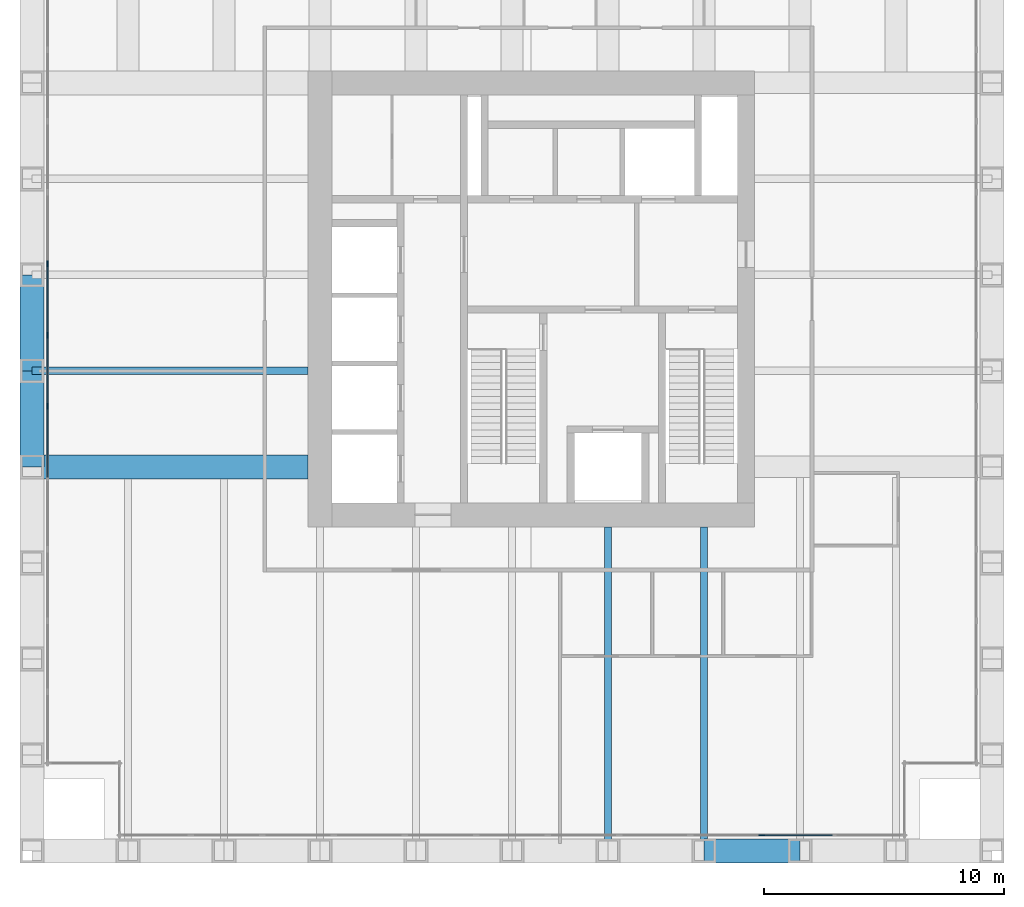
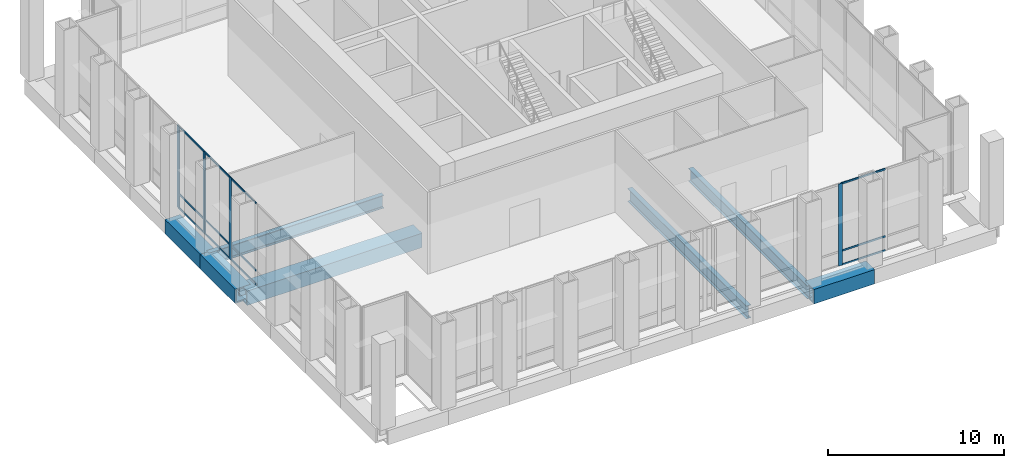
# One storey, part 3 of 12: 16 members, 7 beams, 2 elements without a shape of their own.
"""IFC4 building model written with IfcOpenShell, lengths in metres."""

from ifc_helpers import new_model, si_unit, direction, frame, origin, origin_2d, place, context, subcontext, project, spatial, rectangle, hollow_rectangle, i_section, extrude, material, material_profile, profile_set, type_object, element, aggregate, save


model = new_model("IFC4")

# Units and contexts
model_context = context("Model", 3, precision=1e-05, world=origin(), true_north=direction((0.0, 1.0)))
body_context = subcontext(model_context, "Body", "Model", "MODEL_VIEW")
ifc_project = project(units=[si_unit("LENGTHUNIT", "METRE"), si_unit("AREAUNIT", "SQUARE_METRE"), si_unit("VOLUMEUNIT", "CUBIC_METRE"), si_unit("PLANEANGLEUNIT", "RADIAN"), si_unit("MASSUNIT", "GRAM", prefix="KILO")], contexts=[model_context])

# Site, building, storey
site_placement = place(None, origin())
site = spatial("IfcSite", under=ifc_project, at=site_placement, CompositionType="ELEMENT")
building_placement = place(site_placement, origin())
building = spatial("IfcBuilding", under=site, at=building_placement, Name="Rimbunsela Tower", CompositionType="ELEMENT")
storey_placement = place(building_placement, frame((0.0, 0.0, 298.199951171875)))
storey = spatial("IfcBuildingStorey", under=building, at=storey_placement, Name="L72", CompositionType="ELEMENT", Elevation=298.199951171875)

# Beams
ifc_material_1 = material(Name="Steel BJ 55 (fy 410 MPa)", Category="steel")
ifc_material_profile_1 = material_profile(ifc_material_1, hollow_rectangle(XDim=1.0, YDim=1.0, WallThickness=0.10009765625, at=origin_2d()), Name="BOX 1000x1000x100")
ifc_profile_set_1 = profile_set([ifc_material_profile_1], Name="Steel BJ 55 (fy 410 MPa)")
beam_type_1 = type_object("IfcBeamType", Name="Beam BOX 1000x1000x100", PredefinedType="BEAM", material=ifc_profile_set_1)
beam_1_placement = place(storey_placement, frame((6.0, 20.0, -0.64990234375), z_axis=(0.0, 1.0, 0.0), x_axis=(-1.0, 0.0, 0.0)))
element("IfcBeam", 1, at=beam_1_placement, inside=storey, type_object=beam_type_1, Name="Beam B3 L72", PredefinedType="BEAM", context=body_context, shape_type="SweptSolid", body=[
    extrude(hollow_rectangle(XDim=1.0, YDim=1.0, WallThickness=0.10009765625, at=origin_2d()), origin(), (0.0, 0.0, 1.0), 4.0),
])
beam_2_placement = place(storey_placement, frame((6.0, 20.0, -0.64990234375), z_axis=(1.0, 0.0, 0.0), x_axis=(0.0, 1.0, 0.0)))
element("IfcBeam", 2, at=beam_2_placement, inside=storey, type_object=beam_type_1, Name="Beam B3 L72", PredefinedType="BEAM", context=body_context, shape_type="SweptSolid", body=[
    extrude(hollow_rectangle(XDim=1.0, YDim=1.0, WallThickness=0.10009765625, at=origin_2d()), origin(), (0.0, 0.0, 1.0), 11.5),
])
for number, where, z_axis, x_axis, name in (
    (3, (6.0, 24.0, -0.64990234375), (0.0, 1.0, 0.0), (-1.0, 0.0, 0.0), "Beam B3 L72"),
    (4, (34.0, 4.0, -0.64990234375), (1.0, 0.0, 0.0), (0.0, 1.0, 0.0), "Beam B3 L72"),
):
    element("IfcBeam", number, at=place(storey_placement, frame(where, z_axis=z_axis, x_axis=x_axis)), inside=storey, type_object=beam_type_1, Name=name, PredefinedType="BEAM", context=body_context, shape_type="SweptSolid", body=[
        extrude(hollow_rectangle(XDim=1.0, YDim=1.0, WallThickness=0.10009765625, at=origin_2d()), origin(), (0.0, 0.0, 1.0), 4.0),
    ])
ifc_material_2 = material(Name="Steel BJ 55 (fy 410 MPa)", Category="steel")
ifc_material_profile_2 = material_profile(ifc_material_2, i_section(OverallWidth=0.300048828125, OverallDepth=0.89990234375, WebThickness=0.01611328125, FlangeThickness=0.028076171875, FilletRadius=0.028076171875, at=origin_2d()), Name="H 900x300x16x28")
ifc_profile_set_2 = profile_set([ifc_material_profile_2], Name="Steel BJ 55 (fy 410 MPa)")
beam_type_2 = type_object("IfcBeamType", Name="Beam H 900x300x16x28", PredefinedType="BEAM", material=ifc_profile_set_2)
beam_3_placement = place(storey_placement, frame((6.0, 24.0, -0.599853515625), z_axis=(1.0, 0.0, 0.0), x_axis=(0.0, 1.0, 0.0)))
element("IfcBeam", 5, at=beam_3_placement, inside=storey, type_object=beam_type_2, Name="Beam B2 L72", PredefinedType="BEAM", context=body_context, shape_type="SweptSolid", body=[
    extrude(i_section(OverallWidth=0.300048828125, OverallDepth=0.89990234375, WebThickness=0.01611328125, FlangeThickness=0.028076171875, FilletRadius=0.028076171875, at=origin_2d()), origin(), (0.0, 0.0, 1.0), 11.5),
])
for number, where, z_axis, x_axis, name in (
    (6, (30.0, 4.0, -0.599853515625), (0.0, 1.0, 0.0), (-1.0, 0.0, 0.0), "Beam B2 L72"),
    (7, (34.0, 4.0, -0.599853515625), (0.0, 1.0, 0.0), (-1.0, 0.0, 0.0), "Beam B2 L72"),
):
    element("IfcBeam", number, at=place(storey_placement, frame(where, z_axis=z_axis, x_axis=x_axis)), inside=storey, type_object=beam_type_2, Name=name, PredefinedType="BEAM", context=body_context, shape_type="SweptSolid", body=[
        extrude(i_section(OverallWidth=0.300048828125, OverallDepth=0.89990234375, WebThickness=0.01611328125, FlangeThickness=0.028076171875, FilletRadius=0.028076171875, at=origin_2d()), origin(), (0.0, 0.0, 1.0), 13.5),
    ])

# Curtain wall, members
ifc_material_3 = material(Name="Aluminium curtain wall", Category="aluminium")
curtain_wall_type = type_object("IfcCurtainWallType", Name="Crown glazing", PredefinedType="USERDEFINED", material=ifc_material_3)
curtain_wall_1_placement = place(storey_placement, origin())
curtain_wall_1 = element("IfcCurtainWall", 8, at=curtain_wall_1_placement, inside=storey, type_object=curtain_wall_type, Name="Crown glazing L72", ObjectType="CROWN GLAZING", PredefinedType="USERDEFINED")
ifc_material_4 = material(Name="Aluminium mullion", Category="aluminium")
ifc_material_profile_3 = material_profile(ifc_material_4, rectangle(XDim=0.06005859375, YDim=0.25, at=origin_2d()), Name="Mullion 60x250")
ifc_profile_set_3 = profile_set([ifc_material_profile_3], Name="Aluminium mullion")
member_type_1 = type_object("IfcMemberType", Name="Curtain wall mullion 60x250", PredefinedType="MULLION", material=ifc_profile_set_3)
member_1_placement = place(storey_placement, frame((6.64990234375, 28.458984375, 0.0), z_axis=(0.0, 0.0, 1.0), x_axis=(1.0, 0.0, 0.0)))
member_1 = element("IfcMember", 9, at=member_1_placement, type_object=member_type_1, Name="CW6 mullion 5", PredefinedType="MULLION", context=body_context, shape_type="SweptSolid", body=[
    extrude(rectangle(XDim=0.06005859375, YDim=0.25, at=origin_2d()), origin(), (0.0, 0.0, 1.0), 5.699951171875),
])
member_2_placement = place(storey_placement, frame((6.64990234375, 25.486328125, 0.0), z_axis=(0.0, 0.0, 1.0), x_axis=(1.0, 0.0, 0.0)))
member_2 = element("IfcMember", 10, at=member_2_placement, type_object=member_type_1, Name="CW6 mullion 6", PredefinedType="MULLION", context=body_context, shape_type="SweptSolid", body=[
    extrude(rectangle(XDim=0.06005859375, YDim=0.25, at=origin_2d()), origin(), (0.0, 0.0, 1.0), 5.699951171875),
])
member_3_placement = place(storey_placement, frame((6.64990234375, 22.513671875, 0.0), z_axis=(0.0, 0.0, 1.0), x_axis=(1.0, 0.0, 0.0)))
member_3 = element("IfcMember", 11, at=member_3_placement, type_object=member_type_1, Name="CW6 mullion 7", PredefinedType="MULLION", context=body_context, shape_type="SweptSolid", body=[
    extrude(rectangle(XDim=0.06005859375, YDim=0.25, at=origin_2d()), origin(), (0.0, 0.0, 1.0), 5.699951171875),
])

# Curtain wall, member
curtain_wall_2_placement = place(storey_placement, origin())
curtain_wall_2 = element("IfcCurtainWall", 12, at=curtain_wall_2_placement, inside=storey, type_object=curtain_wall_type, Name="Crown glazing L72", ObjectType="CROWN GLAZING", PredefinedType="USERDEFINED")
member_4_placement = place(storey_placement, frame((36.404541015625, 4.64990234375, 0.0), z_axis=(0.0, 0.0, 1.0), x_axis=(0.0, 1.0, 0.0)))
member_4 = element("IfcMember", 13, at=member_4_placement, type_object=member_type_1, Name="CW6 mullion 10", PredefinedType="MULLION", context=body_context, shape_type="SweptSolid", body=[
    extrude(rectangle(XDim=0.06005859375, YDim=0.25, at=origin_2d()), origin(), (0.0, 0.0, 1.0), 5.699951171875),
])

# Member
ifc_material_5 = material(Name="Aluminium transom", Category="aluminium")
ifc_material_profile_4 = material_profile(ifc_material_5, rectangle(XDim=0.06005859375, YDim=0.1201171875, at=origin_2d()), Name="Transom 60x120")
ifc_profile_set_4 = profile_set([ifc_material_profile_4], Name="Aluminium transom")
member_type_2 = type_object("IfcMemberType", Name="Curtain wall transom 60x120", PredefinedType="USERDEFINED", material=ifc_profile_set_4)
member_5_placement = place(storey_placement, frame((6.64990234375, 28.42919921875, 0.030029296875), z_axis=(0.0, -1.0, 0.0), x_axis=(1.0, 0.0, 0.0)))
member_5 = element("IfcMember", 14, at=member_5_placement, type_object=member_type_2, Name="CW6 transom 5.1", ObjectType="TRANSOM", PredefinedType="USERDEFINED", context=body_context, shape_type="SweptSolid", body=[
    extrude(rectangle(XDim=0.06005859375, YDim=0.1201171875, at=origin_2d()), origin(), (0.0, 0.0, 1.0), 2.912841796875),
])

member_6_placement = place(storey_placement, frame((6.64990234375, 28.42919921875, 1.0), z_axis=(0.0, -1.0, 0.0), x_axis=(1.0, 0.0, 0.0)))
member_6 = element("IfcMember", 15, at=member_6_placement, type_object=member_type_2, Name="CW6 transom 5.2", ObjectType="TRANSOM", PredefinedType="USERDEFINED", context=body_context, shape_type="SweptSolid", body=[
    extrude(rectangle(XDim=0.06005859375, YDim=0.1201171875, at=origin_2d()), origin(), (0.0, 0.0, 1.0), 2.912841796875),
])

member_7_placement = place(storey_placement, frame((6.64990234375, 28.42919921875, 5.670166015625), z_axis=(0.0, -1.0, 0.0), x_axis=(1.0, 0.0, 0.0)))
member_7 = element("IfcMember", 16, at=member_7_placement, type_object=member_type_2, Name="CW6 transom 5.3", ObjectType="TRANSOM", PredefinedType="USERDEFINED", context=body_context, shape_type="SweptSolid", body=[
    extrude(rectangle(XDim=0.06005859375, YDim=0.1201171875, at=origin_2d()), origin(), (0.0, 0.0, 1.0), 2.912841796875),
])

member_8_placement = place(storey_placement, frame((6.64990234375, 25.456298828125, 0.030029296875), z_axis=(0.0, -1.0, 0.0), x_axis=(1.0, 0.0, 0.0)))
member_8 = element("IfcMember", 17, at=member_8_placement, type_object=member_type_2, Name="CW6 transom 6.1", ObjectType="TRANSOM", PredefinedType="USERDEFINED", context=body_context, shape_type="SweptSolid", body=[
    extrude(rectangle(XDim=0.06005859375, YDim=0.1201171875, at=origin_2d()), origin(), (0.0, 0.0, 1.0), 2.91259765625),
])

member_9_placement = place(storey_placement, frame((6.64990234375, 25.456298828125, 1.0), z_axis=(0.0, -1.0, 0.0), x_axis=(1.0, 0.0, 0.0)))
member_9 = element("IfcMember", 18, at=member_9_placement, type_object=member_type_2, Name="CW6 transom 6.2", ObjectType="TRANSOM", PredefinedType="USERDEFINED", context=body_context, shape_type="SweptSolid", body=[
    extrude(rectangle(XDim=0.06005859375, YDim=0.1201171875, at=origin_2d()), origin(), (0.0, 0.0, 1.0), 2.91259765625),
])

member_10_placement = place(storey_placement, frame((6.64990234375, 25.456298828125, 5.670166015625), z_axis=(0.0, -1.0, 0.0), x_axis=(1.0, 0.0, 0.0)))
member_10 = element("IfcMember", 19, at=member_10_placement, type_object=member_type_2, Name="CW6 transom 6.3", ObjectType="TRANSOM", PredefinedType="USERDEFINED", context=body_context, shape_type="SweptSolid", body=[
    extrude(rectangle(XDim=0.06005859375, YDim=0.1201171875, at=origin_2d()), origin(), (0.0, 0.0, 1.0), 2.91259765625),
])

member_11_placement = place(storey_placement, frame((6.64990234375, 22.483642578125, 0.030029296875), z_axis=(0.0, -1.0, 0.0), x_axis=(1.0, 0.0, 0.0)))
member_11 = element("IfcMember", 20, at=member_11_placement, type_object=member_type_2, Name="CW6 transom 7.1", ObjectType="TRANSOM", PredefinedType="USERDEFINED", context=body_context, shape_type="SweptSolid", body=[
    extrude(rectangle(XDim=0.06005859375, YDim=0.1201171875, at=origin_2d()), origin(), (0.0, 0.0, 1.0), 2.912841796875),
])

member_12_placement = place(storey_placement, frame((6.64990234375, 22.483642578125, 1.0), z_axis=(0.0, -1.0, 0.0), x_axis=(1.0, 0.0, 0.0)))
member_12 = element("IfcMember", 21, at=member_12_placement, type_object=member_type_2, Name="CW6 transom 7.2", ObjectType="TRANSOM", PredefinedType="USERDEFINED", context=body_context, shape_type="SweptSolid", body=[
    extrude(rectangle(XDim=0.06005859375, YDim=0.1201171875, at=origin_2d()), origin(), (0.0, 0.0, 1.0), 2.912841796875),
])

member_13_placement = place(storey_placement, frame((6.64990234375, 22.483642578125, 5.670166015625), z_axis=(0.0, -1.0, 0.0), x_axis=(1.0, 0.0, 0.0)))
member_13 = element("IfcMember", 22, at=member_13_placement, type_object=member_type_2, Name="CW6 transom 7.3", ObjectType="TRANSOM", PredefinedType="USERDEFINED", context=body_context, shape_type="SweptSolid", body=[
    extrude(rectangle(XDim=0.06005859375, YDim=0.1201171875, at=origin_2d()), origin(), (0.0, 0.0, 1.0), 2.912841796875),
])

aggregate(curtain_wall_1, [member_1, member_2, member_3, member_5, member_6, member_7, member_8, member_9, member_10, member_11, member_12, member_13])

member_14_placement = place(storey_placement, frame((36.4345703125, 4.64990234375, 0.030029296875), z_axis=(1.0, 0.0, 0.0), x_axis=(0.0, 1.0, 0.0)))
member_14 = element("IfcMember", 23, at=member_14_placement, type_object=member_type_2, Name="CW6 transom 10.1", ObjectType="TRANSOM", PredefinedType="USERDEFINED", context=body_context, shape_type="SweptSolid", body=[
    extrude(rectangle(XDim=0.06005859375, YDim=0.1201171875, at=origin_2d()), origin(), (0.0, 0.0, 1.0), 2.91259765625),
])

member_15_placement = place(storey_placement, frame((36.4345703125, 4.64990234375, 1.0), z_axis=(1.0, 0.0, 0.0), x_axis=(0.0, 1.0, 0.0)))
member_15 = element("IfcMember", 24, at=member_15_placement, type_object=member_type_2, Name="CW6 transom 10.2", ObjectType="TRANSOM", PredefinedType="USERDEFINED", context=body_context, shape_type="SweptSolid", body=[
    extrude(rectangle(XDim=0.06005859375, YDim=0.1201171875, at=origin_2d()), origin(), (0.0, 0.0, 1.0), 2.91259765625),
])

member_16_placement = place(storey_placement, frame((36.4345703125, 4.64990234375, 5.670166015625), z_axis=(1.0, 0.0, 0.0), x_axis=(0.0, 1.0, 0.0)))
member_16 = element("IfcMember", 25, at=member_16_placement, type_object=member_type_2, Name="CW6 transom 10.3", ObjectType="TRANSOM", PredefinedType="USERDEFINED", context=body_context, shape_type="SweptSolid", body=[
    extrude(rectangle(XDim=0.06005859375, YDim=0.1201171875, at=origin_2d()), origin(), (0.0, 0.0, 1.0), 2.91259765625),
])

aggregate(curtain_wall_2, [member_4, member_14, member_15, member_16])

save(model, "model.ifc")
